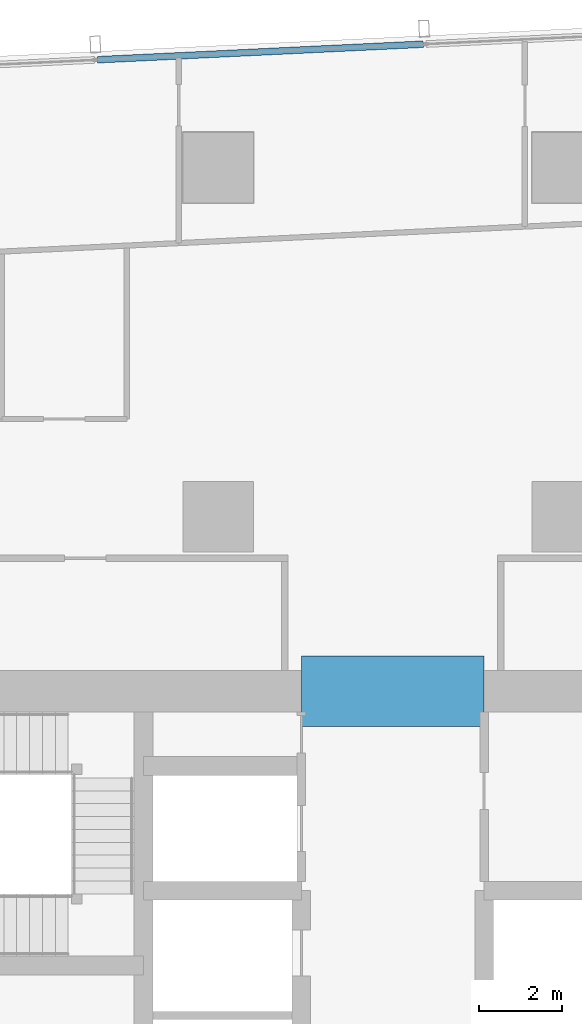
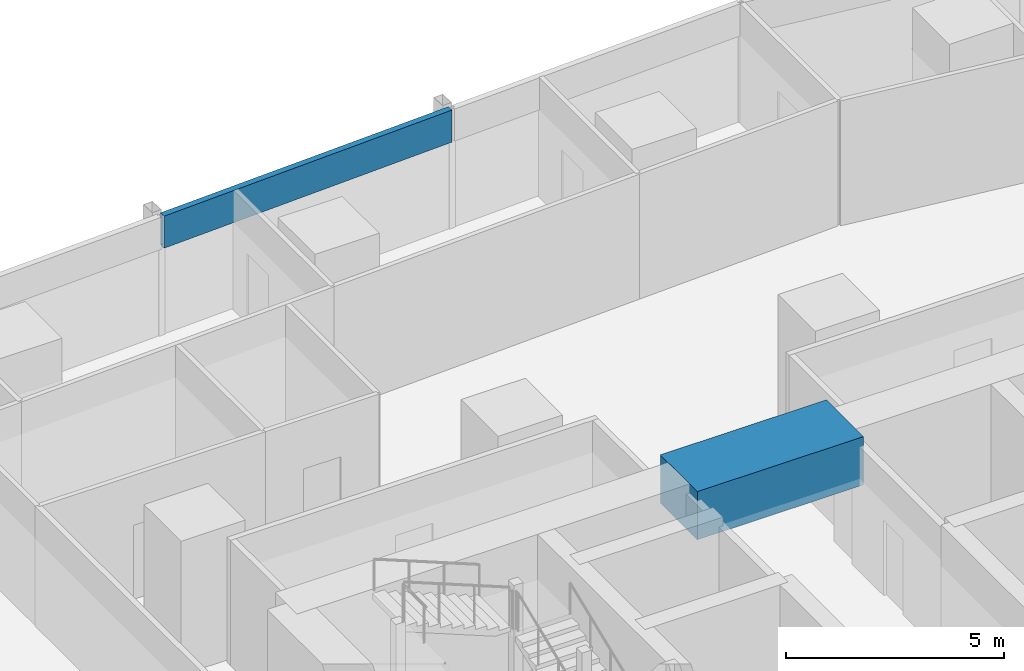
# One storey, part 20 of 39: 1 beam, 1 member, 1 element without a shape of its own.
"""IFC4 building model written with IfcOpenShell, lengths in metres."""

from ifc_helpers import new_model, si_unit, direction, frame, origin, origin_2d, place, context, subcontext, project, spatial, rectangle, hollow_rectangle, extrude, material, material_profile, profile_set, type_object, element, aggregate, save


model = new_model("IFC4")

# Units and contexts
model_context = context("Model", 3, precision=1e-05, world=origin(), true_north=direction((0.0, 1.0)))
body_context = subcontext(model_context, "Body", "Model", "MODEL_VIEW")
ifc_project = project(units=[si_unit("LENGTHUNIT", "METRE"), si_unit("AREAUNIT", "SQUARE_METRE"), si_unit("VOLUMEUNIT", "CUBIC_METRE"), si_unit("PLANEANGLEUNIT", "RADIAN"), si_unit("MASSUNIT", "GRAM", prefix="KILO")], contexts=[model_context])

# Site, building, storey
site_placement = place(None, origin())
site = spatial("IfcSite", under=ifc_project, at=site_placement, CompositionType="ELEMENT")
building_placement = place(site_placement, origin())
building = spatial("IfcBuilding", under=site, at=building_placement, Name="Rekha Terrace Tower", CompositionType="ELEMENT")
storey_placement = place(building_placement, frame((0.0, 0.0, 183.949951171875)))
storey = spatial("IfcBuildingStorey", under=building, at=storey_placement, Name="L46", CompositionType="ELEMENT", Elevation=183.949951171875)

# Curtain wall, member
ifc_material_1 = material(Name="Aluminium framing", Category="aluminium")
curtain_wall_type = type_object("IfcCurtainWallType", Name="CW3 north unitised glazing", PredefinedType="USERDEFINED", material=ifc_material_1)
curtain_wall_placement = place(storey_placement, origin())
curtain_wall = element("IfcCurtainWall", 1, at=curtain_wall_placement, inside=storey, type_object=curtain_wall_type, Name="CW3 unitised curtain wall", ObjectType="UNITISED CURTAIN WALL", PredefinedType="USERDEFINED")
ifc_material_2 = material(Name="Insulated aluminium spandrel box", Category="aluminium")
ifc_material_profile_1 = material_profile(ifc_material_2, hollow_rectangle(XDim=0.159912109375, YDim=0.89990234375, WallThickness=0.0029296875, at=origin_2d()), Name="AL SPANDREL BOX 160x900")
ifc_profile_set_1 = profile_set([ifc_material_profile_1], Name="Insulated aluminium spandrel box")
member_type = type_object("IfcMemberType", Name="CW3 spandrel transom 160 x 900", PredefinedType="USERDEFINED", material=ifc_profile_set_1)
member_placement = place(storey_placement, frame((38.53515625, 61.76953125, 3.050048828125), z_axis=(-0.998859252362, -0.047751376635, 0.0), x_axis=(0.047751376635, -0.998859252362, 0.0)))
member = element("IfcMember", 2, at=member_placement, type_object=member_type, Name="CW3 spandrel transom 2", ObjectType="TRANSOM", PredefinedType="USERDEFINED", context=body_context, shape_type="SweptSolid", body=[
    extrude(hollow_rectangle(XDim=0.159912109375, YDim=0.89990234375, WallThickness=0.0029296875, at=origin_2d()), origin(), (0.0, 0.0, 1.0), 7.84814453125),
])
aggregate(curtain_wall, [member])

# Beam
ifc_material_3 = material(Name="Concrete M60", Category="concrete")
ifc_material_profile_2 = material_profile(ifc_material_3, rectangle(XDim=1.699951171875, YDim=1.35009765625, at=origin_2d()), Name="RC 1700x1350")
ifc_profile_set_2 = profile_set([ifc_material_profile_2], Name="Concrete M60")
beam_type = type_object("IfcBeamType", Name="LB3A 1700x1350 diagonally reinforced coupling beam", PredefinedType="LINTEL", material=ifc_profile_set_2)
beam_placement = place(storey_placement, frame((35.60009765625, 46.199951171875, 3.074951171875), z_axis=(1.0, 0.0, 0.0), x_axis=(0.0, 1.0, 0.0)))
element("IfcBeam", 3, at=beam_placement, inside=storey, type_object=beam_type, Name="Coupling beam LB3A N L46", PredefinedType="LINTEL", context=body_context, shape_type="SweptSolid", body=[
    extrude(rectangle(XDim=1.699951171875, YDim=1.35009765625, at=origin_2d()), origin(), (0.0, 0.0, 1.0), 4.39990234375),
])

save(model, "model.ifc")
